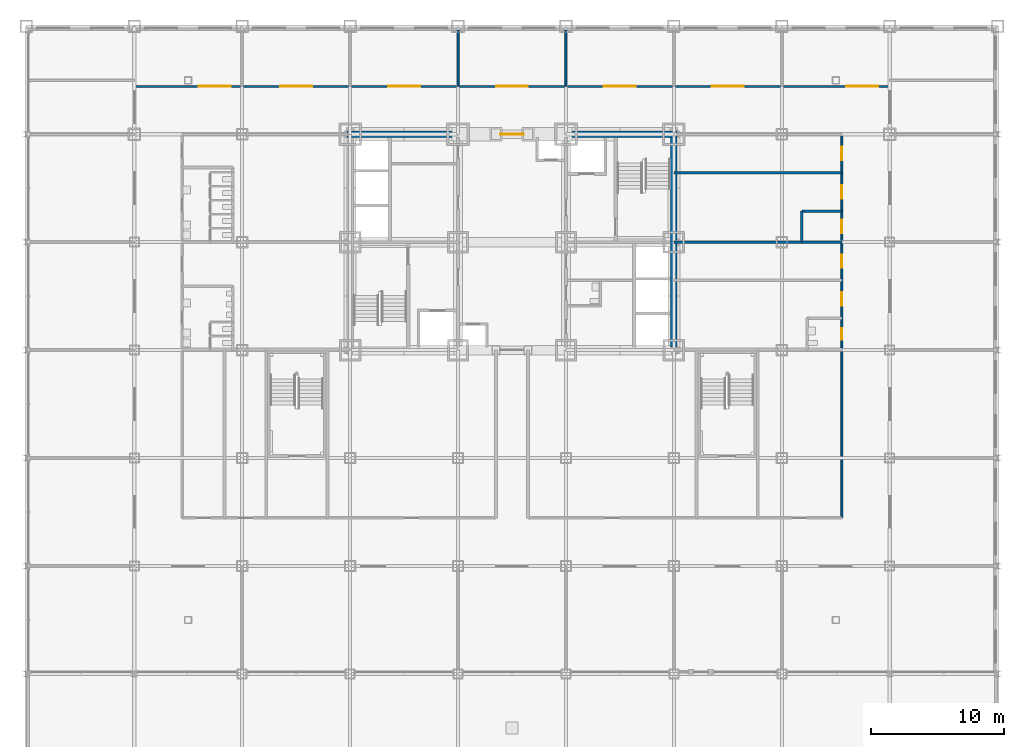
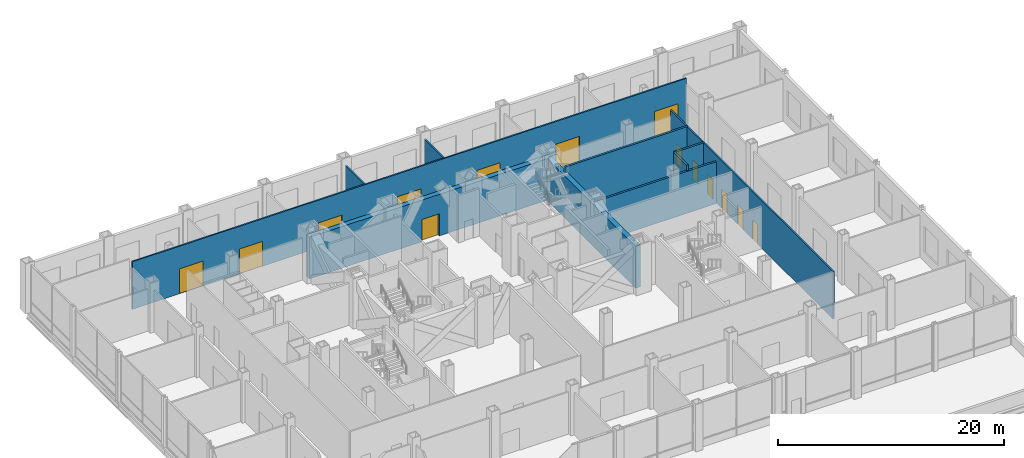
# One storey, part 24 of 29: 14 doors, 10 walls, 14 openings.
"""IFC4 building model written with IfcOpenShell, lengths in metres."""

from ifc_helpers import new_model, si_unit, direction, frame, frame_2d, origin, place, context, subcontext, project, spatial, rectangle, extrude, material, layer, layer_set, type_object, element, fill, save


model = new_model("IFC4")

# Units and contexts
model_context = context("Model", 3, precision=1e-05, world=origin(), true_north=direction((0.0, 1.0)))
body_context = subcontext(model_context, "Body", "Model", "MODEL_VIEW")
ifc_project = project(units=[si_unit("LENGTHUNIT", "METRE"), si_unit("AREAUNIT", "SQUARE_METRE"), si_unit("VOLUMEUNIT", "CUBIC_METRE"), si_unit("PLANEANGLEUNIT", "RADIAN"), si_unit("MASSUNIT", "GRAM", prefix="KILO")], contexts=[model_context])

# Site, building, storey
site_placement = place(None, origin())
site = spatial("IfcSite", under=ifc_project, at=site_placement, CompositionType="ELEMENT")
building_placement = place(site_placement, origin())
building = spatial("IfcBuilding", under=site, at=building_placement, Name="Kopane Lantern Tower", CompositionType="ELEMENT")
storey_placement = place(building_placement, frame((0.0, 0.0, 11.39990234375)))
storey = spatial("IfcBuildingStorey", under=building, at=storey_placement, Name="L02", CompositionType="ELEMENT", Elevation=11.39990234375)

# Wall, opening, door
ifc_material_1 = material(Name="Gypsum shaft wall EI 120", Category="gypsum")
ifc_layer_1 = layer(ifc_material_1, 0.5)
ifc_layer_set_1 = layer_set([ifc_layer_1], Name="CORE PERIMETER WALL 500 EI 120")
wall_type_1 = type_object("IfcWallType", Name="CORE PERIMETER WALL 500 EI 120", PredefinedType="SOLIDWALL", material=ifc_layer_set_1)
wall_1_placement = place(storey_placement, frame((15.949951171875, 40.5, 0.0), z_axis=(0.0, 0.0, 1.0), x_axis=(1.0, 0.0, 0.0)))
wall_1 = element("IfcWall", 1, at=wall_1_placement, inside=storey, type_object=wall_type_1, Name="Core shaft wall L02 PN", PredefinedType="SOLIDWALL", context=body_context, shape_type="SweptSolid", body=[
    extrude(rectangle(XDim=24.800048828125, YDim=0.5, at=frame_2d((12.39990234375, 0.0))), origin(), (0.0, 0.0, 1.0), 4.5),
])
opening_1_placement = place(wall_1_placement, frame((11.5, 0.0, 0.0)))
opening_1 = element("IfcOpeningElement", 2, at=opening_1_placement, cuts=wall_1, Name="Opening 02.CE-N", PredefinedType="OPENING", context=body_context, shape_type="SweptSolid", body=[
    extrude(rectangle(XDim=1.800048828125, YDim=2.39990234375, at=frame_2d((0.89990234375, 1.199951171875))), frame((0.0, 0.260009765625, 0.0), z_axis=(0.0, -1.0, 0.0), x_axis=(1.0, 0.0, 0.0)), (0.0, 0.0, 1.0), 0.52001953125),
])
ifc_material_2 = material(Name="Steel door set", Category="steel")
door_type_1 = type_object("IfcDoorType", Name="CORE ENTRY DOOR 1800x2400 FD60S", OperationType="DOUBLE_DOOR_SINGLE_SWING", PredefinedType="DOOR", material=ifc_material_2)
door_1_placement = place(opening_1_placement, origin())
door_1 = element("IfcDoor", 3, at=door_1_placement, inside=storey, type_object=door_type_1, Name="Core entry door L02 north", OperationType="DOUBLE_DOOR_SINGLE_SWING", OverallHeight=2.39990234375, OverallWidth=1.800048828125, PredefinedType="DOOR", context=body_context, shape_type="SweptSolid", body=[
    extrude(rectangle(XDim=1.800048828125, YDim=2.39990234375, at=frame_2d((0.89990234375, 1.199951171875))), frame((0.0, 0.02490234375, 0.0), z_axis=(0.0, -1.0, 0.0), x_axis=(1.0, 0.0, 0.0)), (0.0, 0.0, 1.0), 0.050048828125),
])
fill(opening_1, door_1)

# Wall
wall_2_placement = place(storey_placement, frame((40.5, 24.550048828125, 0.0), z_axis=(0.0, 0.0, 1.0), x_axis=(0.0, 1.0, 0.0)))
element("IfcWall", 4, at=wall_2_placement, inside=storey, type_object=wall_type_1, Name="Core shaft wall L02 PE", PredefinedType="SOLIDWALL", context=body_context, shape_type="SweptSolid", body=[
    extrude(rectangle(XDim=15.699951171875, YDim=0.5, at=frame_2d((7.85009765625, 0.0))), origin(), (0.0, 0.0, 1.0), 4.537841796875),
])

# Wall, openings, doors
ifc_material_3 = material(Name="Gypsum board on steel studs", Category="steel")
ifc_layer_2 = layer(ifc_material_3, 0.14990234375)
ifc_layer_set_2 = layer_set([ifc_layer_2], Name="CORRIDOR WALL 150 EI 60")
wall_type_2 = type_object("IfcWallType", Name="CORRIDOR WALL 150 EI 60", PredefinedType="PARTITIONING", material=ifc_layer_set_2)
wall_3_placement = place(storey_placement, frame((0.0, 44.10009765625, 0.0), z_axis=(0.0, 0.0, 1.0), x_axis=(1.0, 0.0, 0.0)))
wall_3 = element("IfcWall", 5, at=wall_3_placement, inside=storey, type_object=wall_type_2, Name="Corridor Wall 150 Ei 60 L02", PredefinedType="PARTITIONING", context=body_context, shape_type="SweptSolid", body=[
    extrude(rectangle(XDim=56.699951171875, YDim=0.14990234375, at=frame_2d((28.35009765625, 0.0))), origin(), (0.0, 0.0, 1.0), 5.150146484375),
])
opening_2_placement = place(wall_3_placement, frame((10.949951171875, 0.0, 0.0)))
opening_2 = element("IfcOpeningElement", 6, at=opening_2_placement, cuts=wall_3, Name="Opening L02-020", PredefinedType="OPENING", context=body_context, shape_type="SweptSolid", body=[
    extrude(rectangle(XDim=2.39990234375, YDim=2.699951171875, at=frame_2d((1.199951171875, 1.35009765625))), frame((0.0, 0.0849609375, 0.0), z_axis=(0.0, -1.0, 0.0), x_axis=(1.0, 0.0, 0.0)), (0.0, 0.0, 1.0), 0.169921875),
])
opening_3_placement = place(wall_3_placement, frame((19.050048828125, 0.0, 0.0)))
opening_3 = element("IfcOpeningElement", 7, at=opening_3_placement, cuts=wall_3, Name="Opening L02-021", PredefinedType="OPENING", context=body_context, shape_type="SweptSolid", body=[
    extrude(rectangle(XDim=2.39990234375, YDim=2.699951171875, at=frame_2d((1.199951171875, 1.35009765625))), frame((0.0, 0.0849609375, 0.0), z_axis=(0.0, -1.0, 0.0), x_axis=(1.0, 0.0, 0.0)), (0.0, 0.0, 1.0), 0.169921875),
])
opening_4_placement = place(wall_3_placement, frame((27.14990234375, 0.0, 0.0)))
opening_4 = element("IfcOpeningElement", 8, at=opening_4_placement, cuts=wall_3, Name="Opening L02-022", PredefinedType="OPENING", context=body_context, shape_type="SweptSolid", body=[
    extrude(rectangle(XDim=2.39990234375, YDim=2.699951171875, at=frame_2d((1.199951171875, 1.35009765625))), frame((0.0, 0.0849609375, 0.0), z_axis=(0.0, -1.0, 0.0), x_axis=(1.0, 0.0, 0.0)), (0.0, 0.0, 1.0), 0.169921875),
])
opening_5_placement = place(wall_3_placement, frame((35.25, 0.0, 0.0)))
opening_5 = element("IfcOpeningElement", 9, at=opening_5_placement, cuts=wall_3, Name="Opening L02-023", PredefinedType="OPENING", context=body_context, shape_type="SweptSolid", body=[
    extrude(rectangle(XDim=2.39990234375, YDim=2.699951171875, at=frame_2d((1.199951171875, 1.35009765625))), frame((0.0, 0.0849609375, 0.0), z_axis=(0.0, -1.0, 0.0), x_axis=(1.0, 0.0, 0.0)), (0.0, 0.0, 1.0), 0.169921875),
])
opening_6_placement = place(wall_3_placement, frame((43.35009765625, 0.0, 0.0)))
opening_6 = element("IfcOpeningElement", 10, at=opening_6_placement, cuts=wall_3, Name="Opening L02-024", PredefinedType="OPENING", context=body_context, shape_type="SweptSolid", body=[
    extrude(rectangle(XDim=2.39990234375, YDim=2.699951171875, at=frame_2d((1.199951171875, 1.35009765625))), frame((0.0, 0.0849609375, 0.0), z_axis=(0.0, -1.0, 0.0), x_axis=(1.0, 0.0, 0.0)), (0.0, 0.0, 1.0), 0.169921875),
])
opening_7_placement = place(wall_3_placement, frame((53.449951171875, 0.0, 0.0)))
opening_7 = element("IfcOpeningElement", 11, at=opening_7_placement, cuts=wall_3, Name="Opening L02-037", PredefinedType="OPENING", context=body_context, shape_type="SweptSolid", body=[
    extrude(rectangle(XDim=2.39990234375, YDim=2.699951171875, at=frame_2d((1.199951171875, 1.35009765625))), frame((0.0, 0.0849609375, 0.0), z_axis=(0.0, -1.0, 0.0), x_axis=(1.0, 0.0, 0.0)), (0.0, 0.0, 1.0), 0.169921875),
])
opening_8_placement = place(wall_3_placement, frame((4.85009765625, 0.0, 0.0)))
opening_8 = element("IfcOpeningElement", 12, at=opening_8_placement, cuts=wall_3, Name="Opening L02-038", PredefinedType="OPENING", context=body_context, shape_type="SweptSolid", body=[
    extrude(rectangle(XDim=2.39990234375, YDim=2.699951171875, at=frame_2d((1.199951171875, 1.35009765625))), frame((0.0, 0.0849609375, 0.0), z_axis=(0.0, -1.0, 0.0), x_axis=(1.0, 0.0, 0.0)), (0.0, 0.0, 1.0), 0.169921875),
])
ifc_material_4 = material(Name="Timber door set", Category="wood")
door_type_2 = type_object("IfcDoorType", Name="DOOR D7 2400x2700 SHOPFRONT", OperationType="SINGLE_SWING_LEFT", PredefinedType="DOOR", material=ifc_material_4)
door_2_placement = place(opening_2_placement, origin())
door_2 = element("IfcDoor", 13, at=door_2_placement, inside=storey, type_object=door_type_2, Name="Door L02-020", OperationType="DOUBLE_DOOR_SINGLE_SWING", OverallHeight=2.699951171875, OverallWidth=2.39990234375, PredefinedType="DOOR", context=body_context, shape_type="SweptSolid", body=[
    extrude(rectangle(XDim=2.39990234375, YDim=2.699951171875, at=frame_2d((1.199951171875, 1.35009765625))), frame((0.0, 0.02490234375, 0.0), z_axis=(0.0, -1.0, 0.0), x_axis=(1.0, 0.0, 0.0)), (0.0, 0.0, 1.0), 0.050048828125),
])
fill(opening_2, door_2)
door_3_placement = place(opening_3_placement, origin())
door_3 = element("IfcDoor", 14, at=door_3_placement, inside=storey, type_object=door_type_2, Name="Door L02-021", OperationType="DOUBLE_DOOR_SINGLE_SWING", OverallHeight=2.699951171875, OverallWidth=2.39990234375, PredefinedType="DOOR", context=body_context, shape_type="SweptSolid", body=[
    extrude(rectangle(XDim=2.39990234375, YDim=2.699951171875, at=frame_2d((1.199951171875, 1.35009765625))), frame((0.0, 0.02490234375, 0.0), z_axis=(0.0, -1.0, 0.0), x_axis=(1.0, 0.0, 0.0)), (0.0, 0.0, 1.0), 0.050048828125),
])
fill(opening_3, door_3)
door_4_placement = place(opening_4_placement, origin())
door_4 = element("IfcDoor", 15, at=door_4_placement, inside=storey, type_object=door_type_2, Name="Door L02-022", OperationType="DOUBLE_DOOR_SINGLE_SWING", OverallHeight=2.699951171875, OverallWidth=2.39990234375, PredefinedType="DOOR", context=body_context, shape_type="SweptSolid", body=[
    extrude(rectangle(XDim=2.39990234375, YDim=2.699951171875, at=frame_2d((1.199951171875, 1.35009765625))), frame((0.0, 0.02490234375, 0.0), z_axis=(0.0, -1.0, 0.0), x_axis=(1.0, 0.0, 0.0)), (0.0, 0.0, 1.0), 0.050048828125),
])
fill(opening_4, door_4)
door_5_placement = place(opening_5_placement, origin())
door_5 = element("IfcDoor", 16, at=door_5_placement, inside=storey, type_object=door_type_2, Name="Door L02-023", OperationType="DOUBLE_DOOR_SINGLE_SWING", OverallHeight=2.699951171875, OverallWidth=2.39990234375, PredefinedType="DOOR", context=body_context, shape_type="SweptSolid", body=[
    extrude(rectangle(XDim=2.39990234375, YDim=2.699951171875, at=frame_2d((1.199951171875, 1.35009765625))), frame((0.0, 0.02490234375, 0.0), z_axis=(0.0, -1.0, 0.0), x_axis=(1.0, 0.0, 0.0)), (0.0, 0.0, 1.0), 0.050048828125),
])
fill(opening_5, door_5)
door_6_placement = place(opening_6_placement, origin())
door_6 = element("IfcDoor", 17, at=door_6_placement, inside=storey, type_object=door_type_2, Name="Door L02-024", OperationType="DOUBLE_DOOR_SINGLE_SWING", OverallHeight=2.699951171875, OverallWidth=2.39990234375, PredefinedType="DOOR", context=body_context, shape_type="SweptSolid", body=[
    extrude(rectangle(XDim=2.39990234375, YDim=2.699951171875, at=frame_2d((1.199951171875, 1.35009765625))), frame((0.0, 0.02490234375, 0.0), z_axis=(0.0, -1.0, 0.0), x_axis=(1.0, 0.0, 0.0)), (0.0, 0.0, 1.0), 0.050048828125),
])
fill(opening_6, door_6)
door_7_placement = place(opening_7_placement, origin())
door_7 = element("IfcDoor", 18, at=door_7_placement, inside=storey, type_object=door_type_2, Name="Door L02-037", OperationType="DOUBLE_DOOR_SINGLE_SWING", OverallHeight=2.699951171875, OverallWidth=2.39990234375, PredefinedType="DOOR", context=body_context, shape_type="SweptSolid", body=[
    extrude(rectangle(XDim=2.39990234375, YDim=2.699951171875, at=frame_2d((1.199951171875, 1.35009765625))), frame((0.0, 0.02490234375, 0.0), z_axis=(0.0, -1.0, 0.0), x_axis=(1.0, 0.0, 0.0)), (0.0, 0.0, 1.0), 0.050048828125),
])
fill(opening_7, door_7)
door_8_placement = place(opening_8_placement, origin())
door_8 = element("IfcDoor", 19, at=door_8_placement, inside=storey, type_object=door_type_2, Name="Door L02-038", OperationType="DOUBLE_DOOR_SINGLE_SWING", OverallHeight=2.699951171875, OverallWidth=2.39990234375, PredefinedType="DOOR", context=body_context, shape_type="SweptSolid", body=[
    extrude(rectangle(XDim=2.39990234375, YDim=2.699951171875, at=frame_2d((1.199951171875, 1.35009765625))), frame((0.0, 0.02490234375, 0.0), z_axis=(0.0, -1.0, 0.0), x_axis=(1.0, 0.0, 0.0)), (0.0, 0.0, 1.0), 0.050048828125),
])
fill(opening_8, door_8)

wall_4_placement = place(storey_placement, frame((53.10009765625, 11.699951171875, 0.0), z_axis=(0.0, 0.0, 1.0), x_axis=(0.0, 1.0, 0.0)))
wall_4 = element("IfcWall", 20, at=wall_4_placement, inside=storey, type_object=wall_type_2, Name="Corridor Wall 150 Ei 60 L02", PredefinedType="PARTITIONING", context=body_context, shape_type="SweptSolid", body=[
    extrude(rectangle(XDim=28.800048828125, YDim=0.14990234375, at=frame_2d((14.39990234375, 0.0))), origin(), (0.0, 0.0, 1.0), 5.150146484375),
])
opening_9_placement = place(wall_4_placement, frame((13.375, 0.0, 0.0)))
opening_9 = element("IfcOpeningElement", 21, at=opening_9_placement, cuts=wall_4, Name="Opening L02-005", PredefinedType="OPENING", context=body_context, shape_type="SweptSolid", body=[
    extrude(rectangle(XDim=0.85009765625, YDim=2.10009765625, at=frame_2d((0.425048828125, 1.050048828125))), frame((0.0, 0.0849609375, 0.0), z_axis=(0.0, -1.0, 0.0), x_axis=(1.0, 0.0, 0.0)), (0.0, 0.0, 1.0), 0.169921875),
])
opening_10_placement = place(wall_4_placement, frame((15.925048828125, 0.0, 0.0)))
opening_10 = element("IfcOpeningElement", 22, at=opening_10_placement, cuts=wall_4, Name="Opening L02-006", PredefinedType="OPENING", context=body_context, shape_type="SweptSolid", body=[
    extrude(rectangle(XDim=1.0, YDim=2.10009765625, at=frame_2d((0.5, 1.050048828125))), frame((0.0, 0.0849609375, 0.0), z_axis=(0.0, -1.0, 0.0), x_axis=(1.0, 0.0, 0.0)), (0.0, 0.0, 1.0), 0.169921875),
])
opening_11_placement = place(wall_4_placement, frame((18.77490234375, 0.0, 0.0)))
opening_11 = element("IfcOpeningElement", 23, at=opening_11_placement, cuts=wall_4, Name="Opening L02-007", PredefinedType="OPENING", context=body_context, shape_type="SweptSolid", body=[
    extrude(rectangle(XDim=1.0, YDim=2.10009765625, at=frame_2d((0.5, 1.050048828125))), frame((0.0, 0.0849609375, 0.0), z_axis=(0.0, -1.0, 0.0), x_axis=(1.0, 0.0, 0.0)), (0.0, 0.0, 1.0), 0.169921875),
])
opening_12_placement = place(wall_4_placement, frame((21.36669921875, 0.0, 0.0)))
opening_12 = element("IfcOpeningElement", 24, at=opening_12_placement, cuts=wall_4, Name="Opening L02-008", PredefinedType="OPENING", context=body_context, shape_type="SweptSolid", body=[
    extrude(rectangle(XDim=1.0, YDim=2.10009765625, at=frame_2d((0.5, 1.050048828125))), frame((0.0, 0.0849609375, 0.0), z_axis=(0.0, -1.0, 0.0), x_axis=(1.0, 0.0, 0.0)), (0.0, 0.0, 1.0), 0.169921875),
])
opening_13_placement = place(wall_4_placement, frame((23.97509765625, 0.0, 0.0)))
opening_13 = element("IfcOpeningElement", 25, at=opening_13_placement, cuts=wall_4, Name="Opening L02-009", PredefinedType="OPENING", context=body_context, shape_type="SweptSolid", body=[
    extrude(rectangle(XDim=1.0, YDim=2.10009765625, at=frame_2d((0.5, 1.050048828125))), frame((0.0, 0.0849609375, 0.0), z_axis=(0.0, -1.0, 0.0), x_axis=(1.0, 0.0, 0.0)), (0.0, 0.0, 1.0), 0.169921875),
])
opening_14_placement = place(wall_4_placement, frame((26.8583984375, 0.0, 0.0)))
opening_14 = element("IfcOpeningElement", 26, at=opening_14_placement, cuts=wall_4, Name="Opening L02-010", PredefinedType="OPENING", context=body_context, shape_type="SweptSolid", body=[
    extrude(rectangle(XDim=1.0, YDim=2.10009765625, at=frame_2d((0.5, 1.050048828125))), frame((0.0, 0.0849609375, 0.0), z_axis=(0.0, -1.0, 0.0), x_axis=(1.0, 0.0, 0.0)), (0.0, 0.0, 1.0), 0.169921875),
])
ifc_material_5 = material(Name="Timber door set", Category="wood")
door_type_3 = type_object("IfcDoorType", Name="DOOR D4 850x2100", OperationType="SINGLE_SWING_LEFT", PredefinedType="DOOR", material=ifc_material_5)
door_9_placement = place(opening_9_placement, origin())
door_9 = element("IfcDoor", 27, at=door_9_placement, inside=storey, type_object=door_type_3, Name="Door L02-005", OperationType="SINGLE_SWING_LEFT", OverallHeight=2.10009765625, OverallWidth=0.85009765625, PredefinedType="DOOR", context=body_context, shape_type="SweptSolid", body=[
    extrude(rectangle(XDim=0.85009765625, YDim=2.10009765625, at=frame_2d((0.425048828125, 1.050048828125))), frame((0.0, 0.02490234375, 0.0), z_axis=(0.0, -1.0, 0.0), x_axis=(1.0, 0.0, 0.0)), (0.0, 0.0, 1.0), 0.050048828125),
])
fill(opening_9, door_9)
ifc_material_6 = material(Name="Steel door set", Category="steel")
door_type_4 = type_object("IfcDoorType", Name="DOOR D5 1000x2100 FD60", OperationType="SINGLE_SWING_LEFT", PredefinedType="DOOR", material=ifc_material_6)
door_10_placement = place(opening_10_placement, origin())
door_10 = element("IfcDoor", 28, at=door_10_placement, inside=storey, type_object=door_type_4, Name="Door L02-006", OperationType="SINGLE_SWING_RIGHT", OverallHeight=2.10009765625, OverallWidth=1.0, PredefinedType="DOOR", context=body_context, shape_type="SweptSolid", body=[
    extrude(rectangle(XDim=1.0, YDim=2.10009765625, at=frame_2d((0.5, 1.050048828125))), frame((0.0, 0.02490234375, 0.0), z_axis=(0.0, -1.0, 0.0), x_axis=(1.0, 0.0, 0.0)), (0.0, 0.0, 1.0), 0.050048828125),
])
fill(opening_10, door_10)
door_11_placement = place(opening_11_placement, origin())
door_11 = element("IfcDoor", 29, at=door_11_placement, inside=storey, type_object=door_type_4, Name="Door L02-007", OperationType="SINGLE_SWING_LEFT", OverallHeight=2.10009765625, OverallWidth=1.0, PredefinedType="DOOR", context=body_context, shape_type="SweptSolid", body=[
    extrude(rectangle(XDim=1.0, YDim=2.10009765625, at=frame_2d((0.5, 1.050048828125))), frame((0.0, 0.02490234375, 0.0), z_axis=(0.0, -1.0, 0.0), x_axis=(1.0, 0.0, 0.0)), (0.0, 0.0, 1.0), 0.050048828125),
])
fill(opening_11, door_11)
door_12_placement = place(opening_12_placement, origin())
door_12 = element("IfcDoor", 30, at=door_12_placement, inside=storey, type_object=door_type_4, Name="Door L02-008", OperationType="SINGLE_SWING_RIGHT", OverallHeight=2.10009765625, OverallWidth=1.0, PredefinedType="DOOR", context=body_context, shape_type="SweptSolid", body=[
    extrude(rectangle(XDim=1.0, YDim=2.10009765625, at=frame_2d((0.5, 1.050048828125))), frame((0.0, 0.02490234375, 0.0), z_axis=(0.0, -1.0, 0.0), x_axis=(1.0, 0.0, 0.0)), (0.0, 0.0, 1.0), 0.050048828125),
])
fill(opening_12, door_12)
door_13_placement = place(opening_13_placement, origin())
door_13 = element("IfcDoor", 31, at=door_13_placement, inside=storey, type_object=door_type_4, Name="Door L02-009", OperationType="SINGLE_SWING_LEFT", OverallHeight=2.10009765625, OverallWidth=1.0, PredefinedType="DOOR", context=body_context, shape_type="SweptSolid", body=[
    extrude(rectangle(XDim=1.0, YDim=2.10009765625, at=frame_2d((0.5, 1.050048828125))), frame((0.0, 0.02490234375, 0.0), z_axis=(0.0, -1.0, 0.0), x_axis=(1.0, 0.0, 0.0)), (0.0, 0.0, 1.0), 0.050048828125),
])
fill(opening_13, door_13)
door_14_placement = place(opening_14_placement, origin())
door_14 = element("IfcDoor", 32, at=door_14_placement, inside=storey, type_object=door_type_4, Name="Door L02-010", OperationType="SINGLE_SWING_RIGHT", OverallHeight=2.10009765625, OverallWidth=1.0, PredefinedType="DOOR", context=body_context, shape_type="SweptSolid", body=[
    extrude(rectangle(XDim=1.0, YDim=2.10009765625, at=frame_2d((0.5, 1.050048828125))), frame((0.0, 0.02490234375, 0.0), z_axis=(0.0, -1.0, 0.0), x_axis=(1.0, 0.0, 0.0)), (0.0, 0.0, 1.0), 0.050048828125),
])
fill(opening_14, door_14)

# Walls
ifc_material_7 = material(Name="Gypsum board on steel studs", Category="steel")
ifc_layer_3 = layer(ifc_material_7, 0.14990234375)
ifc_layer_set_3 = layer_set([ifc_layer_3], Name="DEMISING WALL 150 EI 60")
wall_type_3 = type_object("IfcWallType", Name="DEMISING WALL 150 EI 60", PredefinedType="PARTITIONING", material=ifc_layer_set_3)
for number, where, z_axis, x_axis, name in (
    (33, (24.300048828125, 44.10009765625, 0.0), (0.0, 0.0, 1.0), (0.0, 1.0, 0.0), "Demising Wall 150 Ei 60 L02"),
    (34, (32.39990234375, 44.10009765625, 0.0), (0.0, 0.0, 1.0), (0.0, 1.0, 0.0), "Demising Wall 150 Ei 60 L02"),
):
    element("IfcWall", number, at=place(storey_placement, frame(where, z_axis=z_axis, x_axis=x_axis)), inside=storey, type_object=wall_type_3, Name=name, PredefinedType="PARTITIONING", context=body_context, shape_type="SweptSolid", body=[
        extrude(rectangle(XDim=4.199951171875, YDim=0.14990234375, at=frame_2d((2.10009765625, 0.0))), origin(), (0.0, 0.0, 1.0), 4.537841796875),
    ])
ifc_material_8 = material(Name="Concrete masonry", Category="masonry")
ifc_layer_4 = layer(ifc_material_8, 0.199951171875)
ifc_layer_set_4 = layer_set([ifc_layer_4], Name="PLANT ROOM WALL 200 EI 120")
wall_type_4 = type_object("IfcWallType", Name="PLANT ROOM WALL 200 EI 120", PredefinedType="SOLIDWALL", material=ifc_layer_set_4)
wall_5_placement = place(storey_placement, frame((40.5, 32.39990234375, 0.0), z_axis=(0.0, 0.0, 1.0), x_axis=(1.0, 0.0, 0.0)))
element("IfcWall", 35, at=wall_5_placement, inside=storey, type_object=wall_type_4, Name="Plant Room Wall 200 Ei 120 L02", PredefinedType="SOLIDWALL", context=body_context, shape_type="SweptSolid", body=[
    extrude(rectangle(XDim=12.60009765625, YDim=0.199951171875, at=frame_2d((6.300048828125, 0.0))), origin(), (0.0, 0.0, 1.0), 4.537841796875),
])
wall_6_placement = place(storey_placement, frame((53.10009765625, 34.7333984375, 0.0), z_axis=(0.0, 0.0, 1.0), x_axis=(-1.0, 0.0, 0.0)))
element("IfcWall", 36, at=wall_6_placement, inside=storey, type_object=wall_type_4, Name="Plant Room Wall 200 Ei 120 L02", PredefinedType="SOLIDWALL", context=body_context, shape_type="SweptSolid", body=[
    extrude(rectangle(XDim=3.0, YDim=0.199951171875, at=frame_2d((1.5, 0.0))), origin(), (0.0, 0.0, 1.0), 5.150146484375),
])
wall_7_placement = place(storey_placement, frame((50.10009765625, 32.39990234375, 0.0), z_axis=(0.0, 0.0, 1.0), x_axis=(0.0, 1.0, 0.0)))
element("IfcWall", 37, at=wall_7_placement, inside=storey, type_object=wall_type_4, Name="Plant Room Wall 200 Ei 120 L02", PredefinedType="SOLIDWALL", context=body_context, shape_type="SweptSolid", body=[
    extrude(rectangle(XDim=2.33349609375, YDim=0.199951171875, at=frame_2d((1.166748046875, 0.0))), origin(), (0.0, 0.0, 1.0), 5.150146484375),
])
wall_8_placement = place(storey_placement, frame((53.10009765625, 37.61669921875, 0.0), z_axis=(0.0, 0.0, 1.0), x_axis=(-1.0, 0.0, 0.0)))
element("IfcWall", 38, at=wall_8_placement, inside=storey, type_object=wall_type_4, Name="Plant Room Wall 200 Ei 120 L02", PredefinedType="SOLIDWALL", context=body_context, shape_type="SweptSolid", body=[
    extrude(rectangle(XDim=12.60009765625, YDim=0.199951171875, at=frame_2d((6.300048828125, 0.0))), origin(), (0.0, 0.0, 1.0), 5.150146484375),
])

save(model, "model.ifc")
